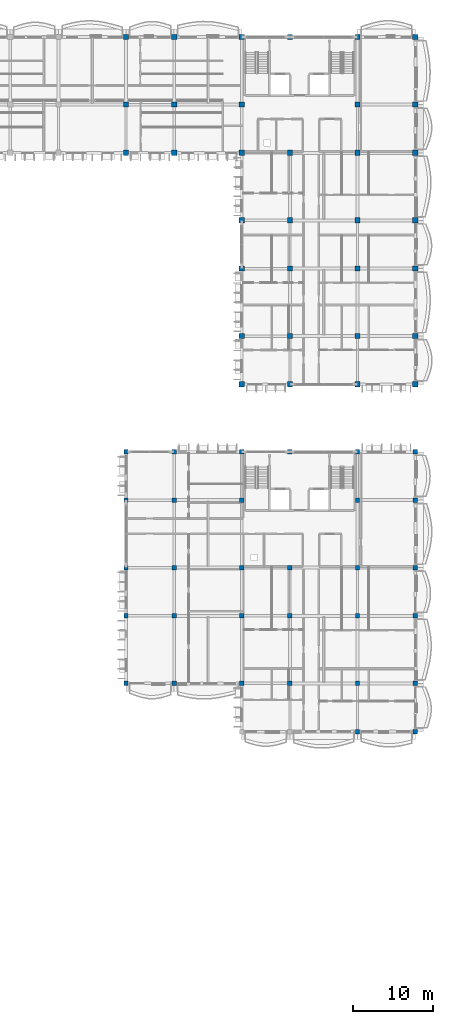
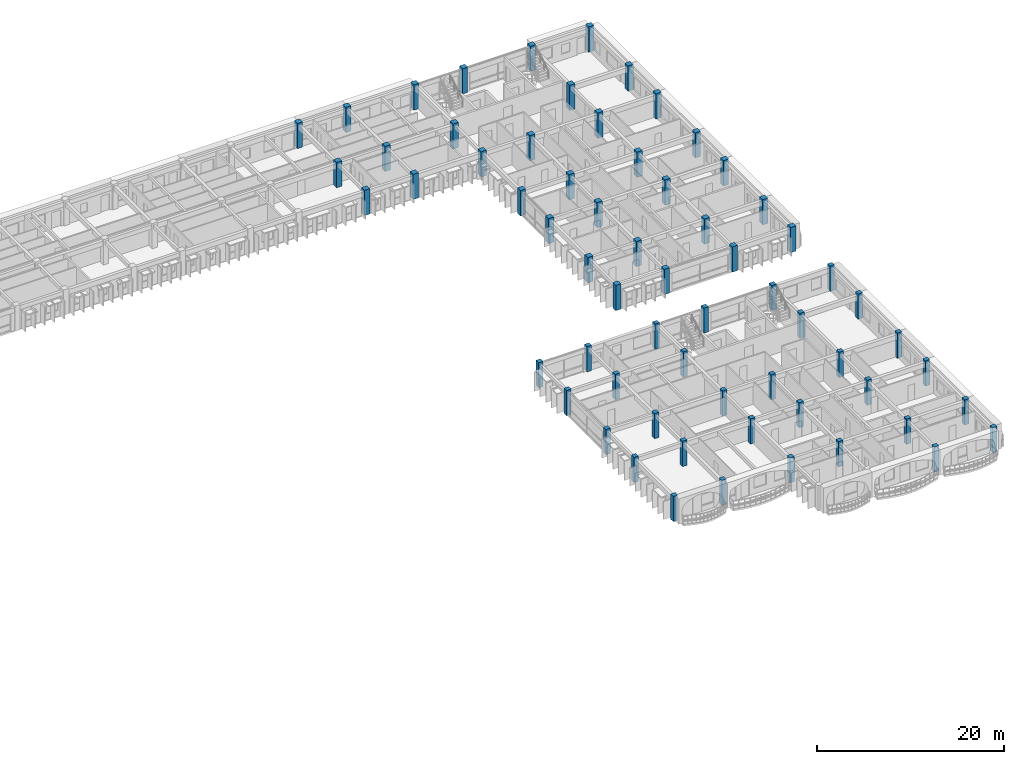
# One storey, part 2 of 79: 64 columns.
"""IFC4 building model written with IfcOpenShell, lengths in metres."""

from ifc_helpers import new_model, si_unit, direction, frame, origin, origin_2d, place, context, subcontext, project, spatial, rectangle, extrude, material, material_profile, profile_set, type_object, element, save


model = new_model("IFC4")

# Units and contexts
model_context = context("Model", 3, precision=1e-05, world=origin(), true_north=direction((0.0, 1.0)))
body_context = subcontext(model_context, "Body", "Model", "MODEL_VIEW")
ifc_project = project(units=[si_unit("LENGTHUNIT", "METRE"), si_unit("AREAUNIT", "SQUARE_METRE"), si_unit("VOLUMEUNIT", "CUBIC_METRE"), si_unit("PLANEANGLEUNIT", "RADIAN"), si_unit("MASSUNIT", "GRAM", prefix="KILO"), si_unit("THERMODYNAMICTEMPERATUREUNIT", "KELVIN")], contexts=[model_context])

# Site, building, storey
site_placement = place(None, origin())
site = spatial("IfcSite", under=ifc_project, at=site_placement, CompositionType="ELEMENT")
building_placement = place(site_placement, origin())
building = spatial("IfcBuilding", under=site, at=building_placement, Name="Thalorik Housing Commons", CompositionType="ELEMENT")
storey_placement = place(building_placement, frame((0.0, 0.0, 11.39990234375)))
storey = spatial("IfcBuildingStorey", under=building, at=storey_placement, Name="L03", CompositionType="ELEMENT", Elevation=11.39990234375)

# Columns
ifc_material = material(Name="Precast concrete C40/50", Category="concrete")
ifc_material_profile_1 = material_profile(ifc_material, rectangle(XDim=0.550048828125, YDim=0.550048828125, at=origin_2d()), Name="PC 550x550", Category="concrete")
ifc_profile_set_1 = profile_set([ifc_material_profile_1], Name="Precast concrete C40/50")
column_type_1 = type_object("IfcColumnType", Name="STR-COL-PC550", PredefinedType="COLUMN", material=ifc_profile_set_1)
for number, where, z_axis, x_axis, name in (
    (1, (138.0, 43.199951171875, 0.0), (0.0, 0.0, 1.0), (1.0, 0.0, 0.0), "L03 Column C-550"),
    (2, (138.0, 51.60009765625, 0.0), (0.0, 0.0, 1.0), (1.0, 0.0, 0.0), "L03 Column C-550"),
    (3, (138.0, 57.60009765625, 0.0), (0.0, 0.0, 1.0), (1.0, 0.0, 0.0), "L03 Column C-550"),
    (4, (138.0, 66.0, 0.0), (0.0, 0.0, 1.0), (1.0, 0.0, 0.0), "L03 Column C-550"),
    (5, (138.0, 72.0, 0.0), (0.0, 0.0, 1.0), (1.0, 0.0, 0.0), "L03 Column C-550"),
    (6, (144.0, 43.199951171875, 0.0), (0.0, 0.0, 1.0), (1.0, 0.0, 0.0), "L03 Column C-550"),
    (7, (144.0, 51.60009765625, 0.0), (0.0, 0.0, 1.0), (1.0, 0.0, 0.0), "L03 Column C-550"),
    (8, (144.0, 57.60009765625, 0.0), (0.0, 0.0, 1.0), (1.0, 0.0, 0.0), "L03 Column C-550"),
    (9, (144.0, 66.0, 0.0), (0.0, 0.0, 1.0), (1.0, 0.0, 0.0), "L03 Column C-550"),
    (10, (144.0, 72.0, 0.0), (0.0, 0.0, 1.0), (1.0, 0.0, 0.0), "L03 Column C-550"),
    (11, (152.39990234375, 43.199951171875, 0.0), (0.0, 0.0, 1.0), (1.0, 0.0, 0.0), "L03 Column C-550"),
    (12, (152.39990234375, 51.60009765625, 0.0), (0.0, 0.0, 1.0), (1.0, 0.0, 0.0), "L03 Column C-550"),
    (13, (152.39990234375, 57.60009765625, 0.0), (0.0, 0.0, 1.0), (1.0, 0.0, 0.0), "L03 Column C-550"),
    (14, (152.39990234375, 66.0, 0.0), (0.0, 0.0, 1.0), (1.0, 0.0, 0.0), "L03 Column C-550"),
    (15, (152.39990234375, 72.0, 0.0), (0.0, 0.0, 1.0), (1.0, 0.0, 0.0), "L03 Column C-550"),
    (16, (158.39990234375, 43.199951171875, 0.0), (0.0, 0.0, 1.0), (1.0, 0.0, 0.0), "L03 Column C-550"),
    (17, (158.39990234375, 51.60009765625, 0.0), (0.0, 0.0, 1.0), (1.0, 0.0, 0.0), "L03 Column C-550"),
    (18, (158.39990234375, 57.60009765625, 0.0), (0.0, 0.0, 1.0), (1.0, 0.0, 0.0), "L03 Column C-550"),
    (19, (158.39990234375, 72.0, 0.0), (0.0, 0.0, 1.0), (1.0, 0.0, 0.0), "L03 Column C-550"),
    (20, (166.800048828125, 37.199951171875, 0.0), (0.0, 0.0, 1.0), (1.0, 0.0, 0.0), "L03 Column C-550"),
    (21, (166.800048828125, 43.199951171875, 0.0), (0.0, 0.0, 1.0), (1.0, 0.0, 0.0), "L03 Column C-550"),
    (22, (166.800048828125, 51.60009765625, 0.0), (0.0, 0.0, 1.0), (1.0, 0.0, 0.0), "L03 Column C-550"),
    (23, (166.800048828125, 57.60009765625, 0.0), (0.0, 0.0, 1.0), (1.0, 0.0, 0.0), "L03 Column C-550"),
    (24, (166.800048828125, 66.0, 0.0), (0.0, 0.0, 1.0), (1.0, 0.0, 0.0), "L03 Column C-550"),
    (25, (166.800048828125, 72.0, 0.0), (0.0, 0.0, 1.0), (1.0, 0.0, 0.0), "L03 Column C-550"),
    (26, (174.0, 37.199951171875, 0.0), (0.0, 0.0, 1.0), (1.0, 0.0, 0.0), "L03 Column C-550"),
    (27, (174.0, 43.199951171875, 0.0), (0.0, 0.0, 1.0), (1.0, 0.0, 0.0), "L03 Column C-550"),
    (28, (174.0, 51.60009765625, 0.0), (0.0, 0.0, 1.0), (1.0, 0.0, 0.0), "L03 Column C-550"),
    (29, (174.0, 57.60009765625, 0.0), (0.0, 0.0, 1.0), (1.0, 0.0, 0.0), "L03 Column C-550"),
    (30, (174.0, 66.0, 0.0), (0.0, 0.0, 1.0), (1.0, 0.0, 0.0), "L03 Column C-550"),
    (31, (174.0, 72.0, 0.0), (0.0, 0.0, 1.0), (1.0, 0.0, 0.0), "L03 Column C-550"),
):
    element("IfcColumn", number, at=place(storey_placement, frame(where, z_axis=z_axis, x_axis=x_axis)), inside=storey, type_object=column_type_1, Name=name, PredefinedType="COLUMN", context=body_context, shape_type="SweptSolid", body=[
        extrude(rectangle(XDim=0.550048828125, YDim=0.550048828125, at=origin_2d()), origin(), (0.0, 0.0, 1.0), 3.300048828125),
    ])
ifc_material_profile_2 = material_profile(ifc_material, rectangle(XDim=0.64990234375, YDim=0.64990234375, at=origin_2d()), Name="PC 650x650", Category="concrete")
ifc_profile_set_2 = profile_set([ifc_material_profile_2], Name="Precast concrete C40/50")
column_type_2 = type_object("IfcColumnType", Name="STR-COL-PC650", PredefinedType="COLUMN", material=ifc_profile_set_2)
for number, where, z_axis, x_axis, name in (
    (32, (138.0, 109.199951171875, 0.0), (0.0, 0.0, 1.0), (1.0, 0.0, 0.0), "L03 Column C-650"),
    (33, (138.0, 115.199951171875, 0.0), (0.0, 0.0, 1.0), (1.0, 0.0, 0.0), "L03 Column C-650"),
    (34, (138.0, 123.60009765625, 0.0), (0.0, 0.0, 1.0), (1.0, 0.0, 0.0), "L03 Column C-650"),
    (35, (144.0, 109.199951171875, 0.0), (0.0, 0.0, 1.0), (1.0, 0.0, 0.0), "L03 Column C-650"),
    (36, (144.0, 115.199951171875, 0.0), (0.0, 0.0, 1.0), (1.0, 0.0, 0.0), "L03 Column C-650"),
    (37, (144.0, 123.60009765625, 0.0), (0.0, 0.0, 1.0), (1.0, 0.0, 0.0), "L03 Column C-650"),
    (38, (152.39990234375, 80.39990234375, 0.0), (0.0, 0.0, 1.0), (1.0, 0.0, 0.0), "L03 Column C-650"),
    (39, (152.39990234375, 86.39990234375, 0.0), (0.0, 0.0, 1.0), (1.0, 0.0, 0.0), "L03 Column C-650"),
    (40, (152.39990234375, 94.800048828125, 0.0), (0.0, 0.0, 1.0), (1.0, 0.0, 0.0), "L03 Column C-650"),
    (41, (152.39990234375, 100.800048828125, 0.0), (0.0, 0.0, 1.0), (1.0, 0.0, 0.0), "L03 Column C-650"),
    (42, (152.39990234375, 109.199951171875, 0.0), (0.0, 0.0, 1.0), (1.0, 0.0, 0.0), "L03 Column C-650"),
    (43, (152.39990234375, 115.199951171875, 0.0), (0.0, 0.0, 1.0), (1.0, 0.0, 0.0), "L03 Column C-650"),
    (44, (152.39990234375, 123.60009765625, 0.0), (0.0, 0.0, 1.0), (1.0, 0.0, 0.0), "L03 Column C-650"),
    (45, (158.39990234375, 80.39990234375, 0.0), (0.0, 0.0, 1.0), (1.0, 0.0, 0.0), "L03 Column C-650"),
    (46, (158.39990234375, 86.39990234375, 0.0), (0.0, 0.0, 1.0), (1.0, 0.0, 0.0), "L03 Column C-650"),
    (47, (158.39990234375, 94.800048828125, 0.0), (0.0, 0.0, 1.0), (1.0, 0.0, 0.0), "L03 Column C-650"),
    (48, (158.39990234375, 100.800048828125, 0.0), (0.0, 0.0, 1.0), (1.0, 0.0, 0.0), "L03 Column C-650"),
    (49, (158.39990234375, 109.199951171875, 0.0), (0.0, 0.0, 1.0), (1.0, 0.0, 0.0), "L03 Column C-650"),
    (50, (158.39990234375, 123.60009765625, 0.0), (0.0, 0.0, 1.0), (1.0, 0.0, 0.0), "L03 Column C-650"),
    (51, (166.800048828125, 80.39990234375, 0.0), (0.0, 0.0, 1.0), (1.0, 0.0, 0.0), "L03 Column C-650"),
    (52, (166.800048828125, 86.39990234375, 0.0), (0.0, 0.0, 1.0), (1.0, 0.0, 0.0), "L03 Column C-650"),
    (53, (166.800048828125, 94.800048828125, 0.0), (0.0, 0.0, 1.0), (1.0, 0.0, 0.0), "L03 Column C-650"),
    (54, (166.800048828125, 100.800048828125, 0.0), (0.0, 0.0, 1.0), (1.0, 0.0, 0.0), "L03 Column C-650"),
    (55, (166.800048828125, 109.199951171875, 0.0), (0.0, 0.0, 1.0), (1.0, 0.0, 0.0), "L03 Column C-650"),
    (56, (166.800048828125, 115.199951171875, 0.0), (0.0, 0.0, 1.0), (1.0, 0.0, 0.0), "L03 Column C-650"),
    (57, (166.800048828125, 123.60009765625, 0.0), (0.0, 0.0, 1.0), (1.0, 0.0, 0.0), "L03 Column C-650"),
    (58, (174.0, 80.39990234375, 0.0), (0.0, 0.0, 1.0), (1.0, 0.0, 0.0), "L03 Column C-650"),
    (59, (174.0, 86.39990234375, 0.0), (0.0, 0.0, 1.0), (1.0, 0.0, 0.0), "L03 Column C-650"),
    (60, (174.0, 94.800048828125, 0.0), (0.0, 0.0, 1.0), (1.0, 0.0, 0.0), "L03 Column C-650"),
    (61, (174.0, 100.800048828125, 0.0), (0.0, 0.0, 1.0), (1.0, 0.0, 0.0), "L03 Column C-650"),
    (62, (174.0, 109.199951171875, 0.0), (0.0, 0.0, 1.0), (1.0, 0.0, 0.0), "L03 Column C-650"),
    (63, (174.0, 115.199951171875, 0.0), (0.0, 0.0, 1.0), (1.0, 0.0, 0.0), "L03 Column C-650"),
    (64, (174.0, 123.60009765625, 0.0), (0.0, 0.0, 1.0), (1.0, 0.0, 0.0), "L03 Column C-650"),
):
    element("IfcColumn", number, at=place(storey_placement, frame(where, z_axis=z_axis, x_axis=x_axis)), inside=storey, type_object=column_type_2, Name=name, PredefinedType="COLUMN", context=body_context, shape_type="SweptSolid", body=[
        extrude(rectangle(XDim=0.64990234375, YDim=0.64990234375, at=origin_2d()), origin(), (0.0, 0.0, 1.0), 3.300048828125),
    ])

save(model, "model.ifc")
